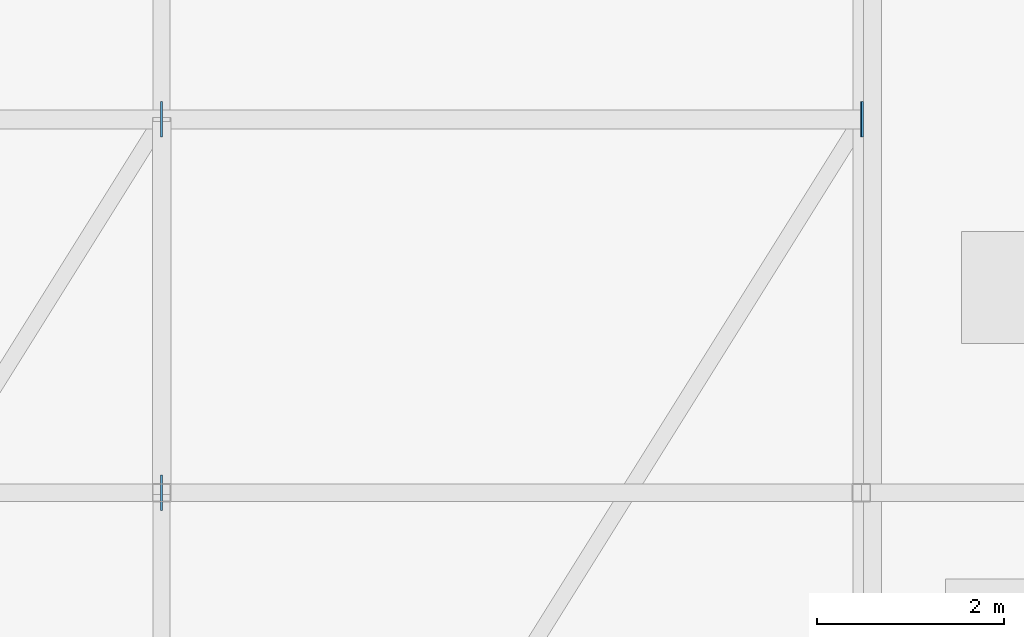
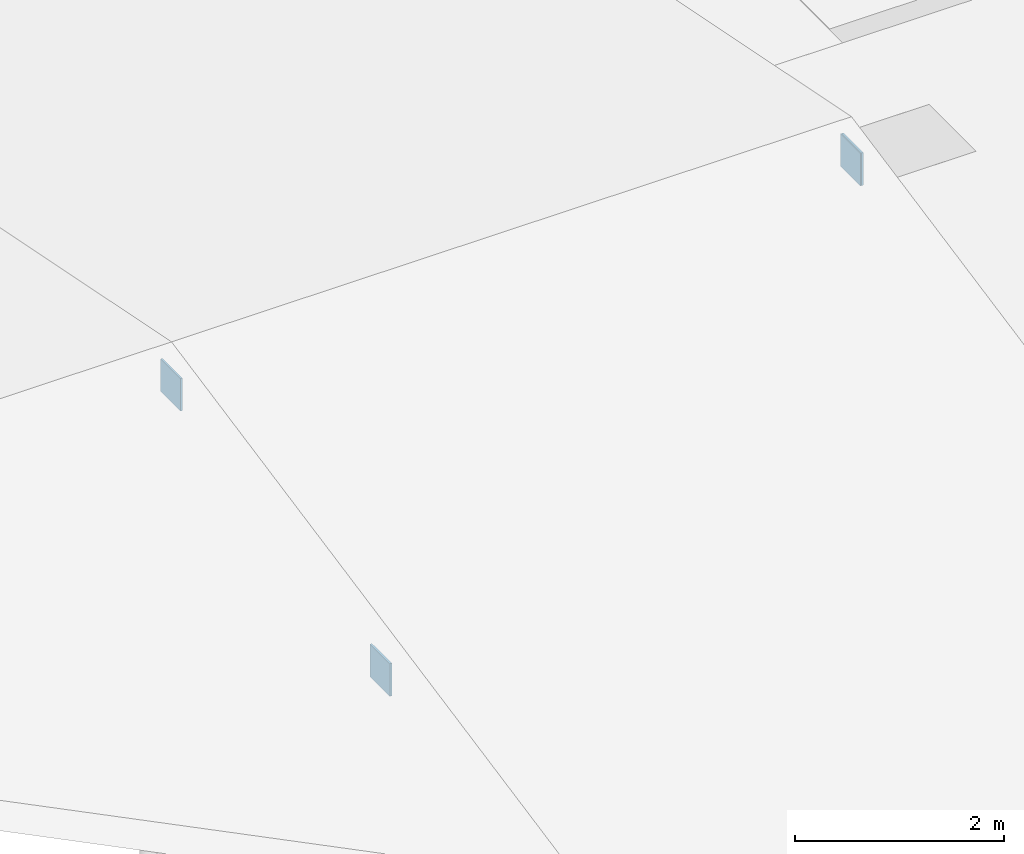
# One storey, part 75 of 93: 4 plates.
"""IFC4 building model written with IfcOpenShell, lengths in metres."""

from ifc_helpers import new_model, si_unit, direction, frame, origin, origin_2d, place, context, subcontext, project, spatial, rectangle, extrude, material, layer, layer_set, type_object, element, save


model = new_model("IFC4")

# Units and contexts
model_context = context("Model", 3, precision=1e-05, world=origin(), true_north=direction((0.0, 1.0)))
body_context = subcontext(model_context, "Body", "Model", "MODEL_VIEW")
ifc_project = project(units=[si_unit("LENGTHUNIT", "METRE"), si_unit("AREAUNIT", "SQUARE_METRE"), si_unit("VOLUMEUNIT", "CUBIC_METRE"), si_unit("PLANEANGLEUNIT", "RADIAN"), si_unit("MASSUNIT", "GRAM", prefix="KILO")], contexts=[model_context])

# Site, building, storey
site_placement = place(None, origin())
site = spatial("IfcSite", under=ifc_project, at=site_placement, CompositionType="ELEMENT")
building_placement = place(site_placement, origin())
building = spatial("IfcBuilding", under=site, at=building_placement, Name="Vourika Railside Aquatics Centre", CompositionType="ELEMENT")
storey_placement = place(building_placement, frame((0.0, 0.0, 21.89990234375)))
storey = spatial("IfcBuildingStorey", under=building, at=storey_placement, Name="Roof", CompositionType="ELEMENT", Elevation=21.89990234375)

# Plates
ifc_material = material(Name="Steel S355J2", Category="steel")
ifc_layer = layer(ifc_material, 0.3798828125, Name="PLT-ECAP-22x380x380")
ifc_layer_set = layer_set([ifc_layer], Name="Steel S355J2")
plate_type = type_object("IfcPlateType", Name="PLT-ECAP-22x380x380", PredefinedType="USERDEFINED", material=ifc_layer_set)
for number, where, z_axis, x_axis, name in (
    (1, (66.0, 104.0, 1.76025390625), (0.0, 0.0, 1.0), (1.0, 0.0, 0.0), "Steel Brace End Knife Plate BP-0377"),
    (2, (73.5, 104.0, 1.76025390625), (0.0, 0.0, 1.0), (1.0, 0.0, 0.0), "Steel Brace End Knife Plate BP-0380"),
    (3, (66.0, 100.0, 0.860107421875), (0.0, 0.0, 1.0), (1.0, 0.0, 0.0), "Steel Brace End Knife Plate BP-0381"),
    (4, (73.510986328125, 104.0, 1.76025390625), (0.0, 0.0, 1.0), (1.0, 0.0, 0.0), "Fitness Ridge Chord End Cap Plate"),
):
    element("IfcPlate", number, at=place(storey_placement, frame(where, z_axis=z_axis, x_axis=x_axis)), inside=storey, type_object=plate_type, Name=name, ObjectType="BASE PLATE", PredefinedType="USERDEFINED", context=body_context, shape_type="SweptSolid", body=[
        extrude(rectangle(XDim=0.02197265625, YDim=0.3798828125, at=origin_2d()), origin(), (0.0, 0.0, 1.0), 0.3798828125),
    ])

save(model, "model.ifc")
